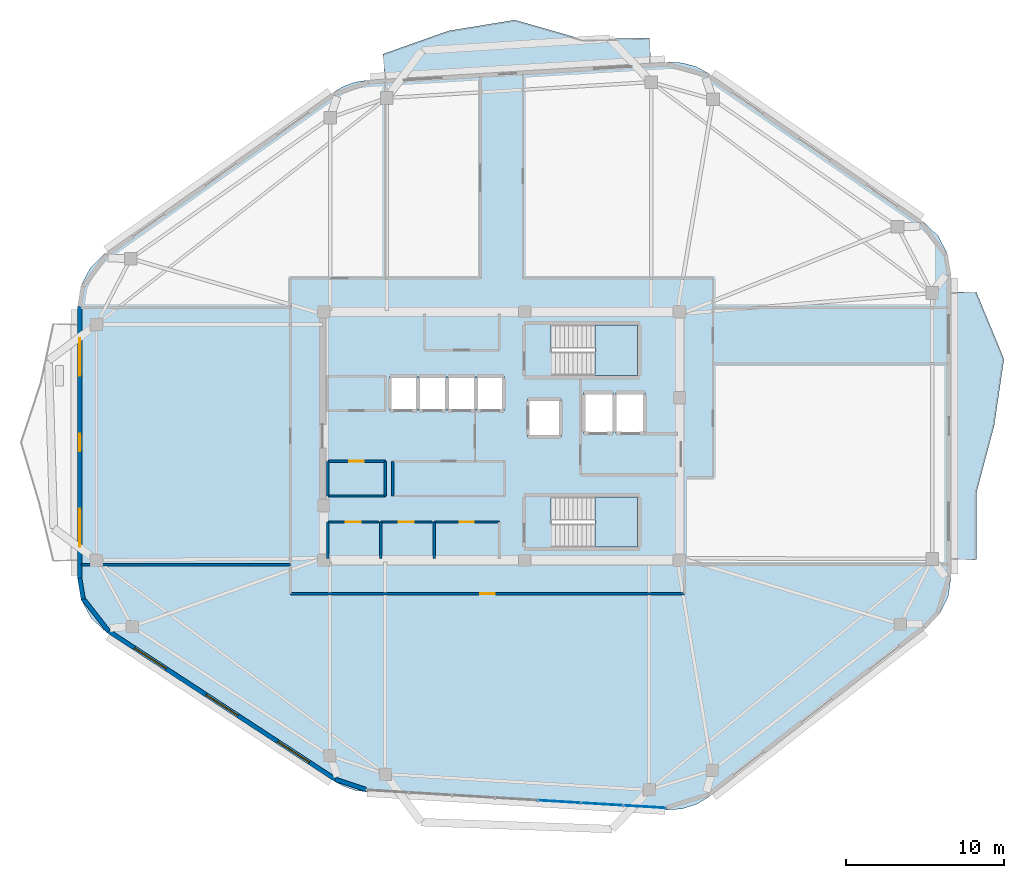
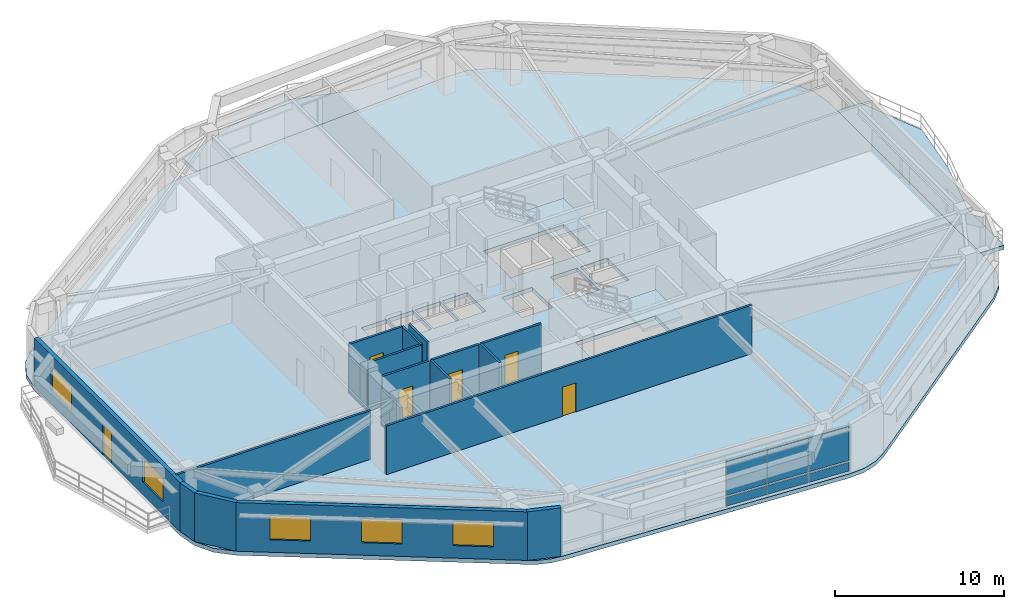
# One storey, part 6 of 12: 18 walls, 6 doors, 6 plates, 5 slabs, 5 windows, 11 openings, 3 elements without a shape of their own.
"""IFC4 building model written with IfcOpenShell, lengths in metres."""

from ifc_helpers import new_model, si_unit, direction, frame, frame_2d, origin, origin_2d, place, context, subcontext, project, spatial, polyline, rectangle, outline, extrude, material, layer, layer_set, type_object, element, fill, aggregate, save


model = new_model("IFC4")

# Units and contexts
model_context = context("Model", 3, precision=1e-05, world=origin(), true_north=direction((0.0, 1.0)))
body_context = subcontext(model_context, "Body", "Model", "MODEL_VIEW")
ifc_project = project(units=[si_unit("LENGTHUNIT", "METRE"), si_unit("AREAUNIT", "SQUARE_METRE"), si_unit("VOLUMEUNIT", "CUBIC_METRE"), si_unit("PLANEANGLEUNIT", "RADIAN"), si_unit("MASSUNIT", "GRAM", prefix="KILO")], contexts=[model_context])

# Site, building, storey
site_placement = place(None, origin())
site = spatial("IfcSite", under=ifc_project, at=site_placement, CompositionType="ELEMENT")
building_placement = place(site_placement, origin())
building = spatial("IfcBuilding", under=site, at=building_placement, Name="Zulverin Broadcast Headquarters", CompositionType="ELEMENT")
storey_placement = place(building_placement, frame((0.0, 0.0, 255.39990234375)))
storey = spatial("IfcBuildingStorey", under=building, at=storey_placement, Name="L65", CompositionType="ELEMENT", Elevation=255.39990234375)

# Curtain wall, plates
ifc_material_1 = material(Name="High-zone solar-control unitised curtain wall", Category="aluminium")
curtain_wall_type = type_object("IfcCurtainWallType", Name="CW-TWR-UPP", PredefinedType="USERDEFINED", material=ifc_material_1)
curtain_wall_placement = place(storey_placement, origin())
curtain_wall = element("IfcCurtainWall", 1, at=curtain_wall_placement, inside=storey, type_object=curtain_wall_type, Name="L65 Unitised Curtain Wall CW-L65-E1", ObjectType="UNITISED CURTAIN WALL", PredefinedType="USERDEFINED")
ifc_material_2 = material(Name="Low-E double-glazed pale-silver vision glass", Category="glass")
ifc_layer_1 = layer(ifc_material_2, 0.035888671875, Name="Low-E double-glazed pale-silver vision glass", Category="glass")
ifc_layer_set_1 = layer_set([ifc_layer_1], Name="Low-E double-glazed pale-silver vision glass")
plate_type_1 = type_object("IfcPlateType", Name="CW-PNL-GLZ", PredefinedType="CURTAIN_PANEL", material=ifc_layer_set_1)
plate_1_placement = place(storey_placement, frame((40.639892578125, 2.020263671875, 0.90771484375), z_axis=(0.0, 0.0, 1.0), x_axis=(0.998202681386, -0.059928347834, 0.0)))
plate_1 = element("IfcPlate", 2, at=plate_1_placement, type_object=plate_type_1, Name="CW-L65-E1 Vision Panel 04", PredefinedType="CURTAIN_PANEL", context=body_context, shape_type="SweptSolid", body=[
    extrude(rectangle(XDim=2.682861328125, YDim=0.035888671875, at=origin_2d()), origin(), (0.0, 0.0, 1.0), 2.462646484375),
])
plate_2_placement = place(storey_placement, frame((43.35791015625, 1.857177734375, 0.90771484375), z_axis=(0.0, 0.0, 1.0), x_axis=(0.998202681386, -0.059928347834, 0.0)))
plate_2 = element("IfcPlate", 3, at=plate_2_placement, type_object=plate_type_1, Name="CW-L65-E1 Vision Panel 05", PredefinedType="CURTAIN_PANEL", context=body_context, shape_type="SweptSolid", body=[
    extrude(rectangle(XDim=2.682861328125, YDim=0.035888671875, at=origin_2d()), origin(), (0.0, 0.0, 1.0), 2.462646484375),
])
plate_3_placement = place(storey_placement, frame((46.07568359375, 1.694091796875, 0.90771484375), z_axis=(0.0, 0.0, 1.0), x_axis=(0.998202681386, -0.059928347834, 0.0)))
plate_3 = element("IfcPlate", 4, at=plate_3_placement, type_object=plate_type_1, Name="CW-L65-E1 Vision Panel 06", PredefinedType="CURTAIN_PANEL", context=body_context, shape_type="SweptSolid", body=[
    extrude(rectangle(XDim=2.682861328125, YDim=0.035888671875, at=origin_2d()), origin(), (0.0, 0.0, 1.0), 2.462646484375),
])
ifc_material_3 = material(Name="Insulated brushed pale-aluminium spandrel cassette", Category="aluminium")
ifc_layer_2 = layer(ifc_material_3, 0.050048828125, Name="Insulated brushed pale-aluminium spandrel cassette", Category="aluminium")
ifc_layer_set_2 = layer_set([ifc_layer_2], Name="Insulated brushed pale-aluminium spandrel cassette")
plate_type_2 = type_object("IfcPlateType", Name="CW-PNL-SPN", PredefinedType="CURTAIN_PANEL", material=ifc_layer_set_2)
plate_4_placement = place(storey_placement, frame((40.639892578125, 2.020263671875, 0.14013671875), z_axis=(0.0, 0.0, 1.0), x_axis=(0.998202681386, -0.059928347834, 0.0)))
plate_4 = element("IfcPlate", 5, at=plate_4_placement, type_object=plate_type_2, Name="CW-L65-E1 Spandrel Cassette 04", PredefinedType="CURTAIN_PANEL", context=body_context, shape_type="SweptSolid", body=[
    extrude(rectangle(XDim=2.682861328125, YDim=0.050048828125, at=origin_2d()), origin(), (0.0, 0.0, 1.0), 0.637451171875),
])
plate_5_placement = place(storey_placement, frame((43.35791015625, 1.857177734375, 0.14013671875), z_axis=(0.0, 0.0, 1.0), x_axis=(0.998202681386, -0.059928347834, 0.0)))
plate_5 = element("IfcPlate", 6, at=plate_5_placement, type_object=plate_type_2, Name="CW-L65-E1 Spandrel Cassette 05", PredefinedType="CURTAIN_PANEL", context=body_context, shape_type="SweptSolid", body=[
    extrude(rectangle(XDim=2.682861328125, YDim=0.050048828125, at=origin_2d()), origin(), (0.0, 0.0, 1.0), 0.637451171875),
])
plate_6_placement = place(storey_placement, frame((46.07568359375, 1.694091796875, 0.14013671875), z_axis=(0.0, 0.0, 1.0), x_axis=(0.998202681386, -0.059928347834, 0.0)))
plate_6 = element("IfcPlate", 7, at=plate_6_placement, type_object=plate_type_2, Name="CW-L65-E1 Spandrel Cassette 06", PredefinedType="CURTAIN_PANEL", context=body_context, shape_type="SweptSolid", body=[
    extrude(rectangle(XDim=2.682861328125, YDim=0.050048828125, at=origin_2d()), origin(), (0.0, 0.0, 1.0), 0.637451171875),
])
aggregate(curtain_wall, [plate_4, plate_1, plate_5, plate_2, plate_6, plate_3])

# Slabs
ifc_material_4 = material(Name="Concrete C40/50", Category="concrete")
ifc_layer_3 = layer(ifc_material_4, 0.2900390625, Name="Concrete C40/50", Category="concrete")
ifc_layer_set_3 = layer_set([ifc_layer_3], Name="Concrete C40/50")
slab_type_1 = type_object("IfcSlabType", Name="SLB-BAL-290", PredefinedType="FLOOR", material=ifc_layer_set_3)
slab_1_placement = place(storey_placement, frame((0.0, 0.0, -0.289794921875)))
element("IfcSlab", 8, at=slab_1_placement, inside=storey, type_object=slab_type_1, Name="L65 Cantilevered Planted Balcony Slab BAL_E", PredefinedType="FLOOR", context=body_context, shape_type="SweptSolid", body=[
    extrude(outline(polyline([(65.5, 34.32568359375), (65.5, 17.357666015625), (67.10009765625, 17.357666015625), (67.10009765625, 21.599609375), (68.226806640625, 25.841796875), (68.85400390625, 30.083740234375), (67.10009765625, 34.32568359375), (65.5, 34.32568359375)])), origin(), (0.0, 0.0, 1.0), 0.289794921875),
])
slab_2_placement = place(storey_placement, frame((0.0, 0.0, -0.289794921875)))
element("IfcSlab", 9, at=slab_2_placement, inside=storey, type_object=slab_type_1, Name="L65 Cantilevered Planted Balcony Slab BAL_N", PredefinedType="FLOOR", context=body_context, shape_type="SweptSolid", body=[
    extrude(outline(polyline([(29.5791015625, 47.835693359375), (46.45947265625, 48.849365234375), (46.363525390625, 50.4462890625), (42.133544921875, 50.356689453125), (37.824462890625, 51.58740234375), (33.630126953125, 50.903076171875), (29.483154296875, 49.43310546875), (29.5791015625, 47.835693359375)])), origin(), (0.0, 0.0, 1.0), 0.289794921875),
])

# Stair, slab
stair_type = type_object("IfcStairType", Name="ST-CORE-1500", PredefinedType="HALF_TURN_STAIR", material=ifc_material_4)
stair_1_placement = place(storey_placement, origin())
stair_1 = element("IfcStair", 10, at=stair_1_placement, inside=storey, type_object=stair_type, Name="L65 Core Exit Stair ST-1", PredefinedType="HALF_TURN_STAIR")
ifc_layer_4 = layer(ifc_material_4, 0.199951171875, Name="Concrete C40/50", Category="concrete")
ifc_layer_set_4 = layer_set([ifc_layer_4], Name="Concrete C40/50")
slab_type_2 = type_object("IfcSlabType", Name="SLB-ST-LND200", PredefinedType="LANDING", material=ifc_layer_set_4)
slab_3_placement = place(storey_placement, frame((0.0, 0.0, 1.7001953125)))
slab_3 = element("IfcSlab", 11, at=slab_3_placement, type_object=slab_type_2, Name="ST-1 landing 1", PredefinedType="LANDING", context=body_context, shape_type="SweptSolid", body=[
    extrude(outline(polyline([(42.929931640625, 29.050048828125), (45.60009765625, 29.050048828125), (45.60009765625, 32.25), (42.929931640625, 32.25), (42.929931640625, 29.050048828125)])), origin(), (0.0, 0.0, 1.0), 0.199951171875),
])
aggregate(stair_1, [slab_3])

stair_2_placement = place(storey_placement, origin())
stair_2 = element("IfcStair", 12, at=stair_2_placement, inside=storey, type_object=stair_type, Name="L65 Core Exit Stair ST-2", PredefinedType="HALF_TURN_STAIR")
slab_4_placement = place(storey_placement, frame((0.0, 0.0, 1.7001953125)))
slab_4 = element("IfcSlab", 13, at=slab_4_placement, type_object=slab_type_2, Name="ST-2 landing 1", PredefinedType="LANDING", context=body_context, shape_type="SweptSolid", body=[
    extrude(outline(polyline([(42.929931640625, 18.14990234375), (45.60009765625, 18.14990234375), (45.60009765625, 21.35009765625), (42.929931640625, 21.35009765625), (42.929931640625, 18.14990234375)])), origin(), (0.0, 0.0, 1.0), 0.199951171875),
])
aggregate(stair_2, [slab_4])

# Slab
ifc_layer_5 = layer(ifc_material_4, 0.2900390625, Name="Concrete C40/50", Category="concrete")
ifc_layer_set_5 = layer_set([ifc_layer_5], Name="Concrete C40/50")
slab_type_3 = type_object("IfcSlabType", Name="SLB-TWR-290", PredefinedType="FLOOR", material=ifc_layer_set_5)
slab_5_placement = place(storey_placement, frame((0.0, 0.0, -0.289794921875)))
element("IfcSlab", 14, at=slab_5_placement, inside=storey, type_object=slab_type_3, Name="L65 Main Structural Floor Slab", PredefinedType="FLOOR", context=body_context, shape_type="SweptSolid", body=[
    extrude(outline(polyline([(26.405029296875, 3.295166015625), (27.029296875, 2.96044921875), (27.70166015625, 2.738037109375), (28.402099609375, 2.634765625), (47.427490234375, 1.49267578125), (48.40869140625, 1.5517578125), (49.347412109375, 1.842529296875), (50.18994140625, 2.348388671875), (63.91650390625, 13.02099609375), (64.7685546875, 13.92041015625), (65.312744140625, 15.033203125), (65.5, 16.2578125), (65.5, 35.42578125), (65.289306640625, 36.723388671875), (64.6787109375, 37.887451171875), (63.73095703125, 38.798583984375), (50.13427734375, 48.1953125), (49.3359375, 48.625244140625), (48.462890625, 48.869140625), (47.557373046875, 48.915283203125), (28.48095703125, 47.77001953125), (27.73291015625, 47.655029296875), (27.0185546875, 47.404541015625), (26.362548828125, 47.027099609375), (11.8359375, 36.775146484375), (10.9052734375, 35.865478515625), (10.306396484375, 34.710205078125), (10.10009765625, 33.42529296875), (10.10009765625, 16.168701171875), (10.322021484375, 14.83740234375), (10.96435546875, 13.650390625), (11.957275390625, 12.736328125), (26.405029296875, 3.295166015625)]), holes=[polyline([(40.155029296875, 30.75), (40.130126953125, 30.75), (40.130126953125, 32.25), (45.60009765625, 32.25), (45.60009765625, 29.050048828125), (40.155029296875, 29.050048828125), (40.155029296875, 30.75)]), polyline([(40.155029296875, 19.85009765625), (40.130126953125, 19.85009765625), (40.130126953125, 21.35009765625), (45.60009765625, 21.35009765625), (45.60009765625, 18.14990234375), (40.155029296875, 18.14990234375), (40.155029296875, 19.85009765625)]), polyline([(29.89990234375, 26.800048828125), (31.6201171875, 26.800048828125), (31.6201171875, 29.0), (29.89990234375, 29.0), (29.89990234375, 26.800048828125)]), polyline([(31.739990234375, 26.800048828125), (33.4599609375, 26.800048828125), (33.4599609375, 29.0), (31.739990234375, 29.0), (31.739990234375, 26.800048828125)]), polyline([(33.580078125, 26.800048828125), (35.300048828125, 26.800048828125), (35.300048828125, 29.0), (33.580078125, 29.0), (33.580078125, 26.800048828125)]), polyline([(35.419921875, 26.800048828125), (37.139892578125, 26.800048828125), (37.139892578125, 29.0), (35.419921875, 29.0), (35.419921875, 26.800048828125)]), polyline([(42.199951171875, 25.35009765625), (44.050048828125, 25.35009765625), (44.050048828125, 27.949951171875), (42.199951171875, 27.949951171875), (42.199951171875, 25.35009765625)]), polyline([(44.25, 25.35009765625), (46.10009765625, 25.35009765625), (46.10009765625, 27.949951171875), (44.25, 27.949951171875), (44.25, 25.35009765625)]), polyline([(38.64990234375, 25.14990234375), (40.75, 25.14990234375), (40.75, 27.550048828125), (38.64990234375, 27.550048828125), (38.64990234375, 25.14990234375)])]), origin(), (0.0, 0.0, 1.0), 0.289794921875),
])

# Wall, openings, door, windows
ifc_material_5 = material(Name="Insulated pale-metal clad concrete spandrel C40/50", Category="concrete")
ifc_layer_6 = layer(ifc_material_5, 0.280029296875, Name="Insulated pale-metal clad concrete spandrel C40/50", Category="concrete")
ifc_layer_set_6 = layer_set([ifc_layer_6], Name="Insulated pale-metal clad concrete spandrel C40/50")
wall_type_1 = type_object("IfcWallType", Name="WL-EXT-280", PredefinedType="STANDARD", material=ifc_layer_set_6)
wall_1_placement = place(storey_placement, frame((10.239990234375, 33.42529296875, 0.0), z_axis=(0.0, 0.0, 1.0), x_axis=(0.0, -1.0, 0.0)))
wall_1 = element("IfcWall", 15, at=wall_1_placement, inside=storey, type_object=wall_type_1, Name="L65 Pale-Metal Clad Spandrel Wall 7", PredefinedType="STANDARD", context=body_context, shape_type="SweptSolid", body=[
    extrude(rectangle(XDim=17.256591796875, YDim=0.280029296875, at=frame_2d((8.62841796875, 0.0))), origin(), (0.0, 0.0, 1.0), 3.510009765625),
])
opening_1_placement = place(wall_1_placement, frame((8.078369140625, 0.0, 0.0)))
opening_1 = element("IfcOpeningElement", 16, at=opening_1_placement, cuts=wall_1, Name="Opening D-L65-TR7", PredefinedType="OPENING", context=body_context, shape_type="SweptSolid", body=[
    extrude(rectangle(XDim=1.10009765625, YDim=2.199951171875, at=frame_2d((0.550048828125, 1.10009765625))), frame((0.0, 0.14990234375, 0.0), z_axis=(0.0, -1.0, 0.0), x_axis=(1.0, 0.0, 0.0)), (0.0, 0.0, 1.0), 0.300048828125),
])
opening_2_placement = place(wall_1_placement, frame((2.009521484375, 0.0, 0.89990234375)))
opening_2 = element("IfcOpeningElement", 17, at=opening_2_placement, cuts=wall_1, Name="Opening W-L65-E71", PredefinedType="OPENING", context=body_context, shape_type="SweptSolid", body=[
    extrude(rectangle(XDim=2.39990234375, YDim=1.75, at=frame_2d((1.199951171875, 0.875))), frame((0.0, 0.14990234375, 0.0), z_axis=(0.0, -1.0, 0.0), x_axis=(1.0, 0.0, 0.0)), (0.0, 0.0, 1.0), 0.300048828125),
])
opening_3_placement = place(wall_1_placement, frame((12.84716796875, 0.0, 0.89990234375)))
opening_3 = element("IfcOpeningElement", 18, at=opening_3_placement, cuts=wall_1, Name="Opening W-L65-E72", PredefinedType="OPENING", context=body_context, shape_type="SweptSolid", body=[
    extrude(rectangle(XDim=2.39990234375, YDim=1.75, at=frame_2d((1.199951171875, 0.875))), frame((0.0, 0.14990234375, 0.0), z_axis=(0.0, -1.0, 0.0), x_axis=(1.0, 0.0, 0.0)), (0.0, 0.0, 1.0), 0.300048828125),
])
ifc_material_6 = material(Name="Thermally broken aluminium glazed", Category="aluminium")
door_type_1 = type_object("IfcDoorType", Name="DR-TERR-1100", OperationType="SINGLE_SWING_RIGHT", PredefinedType="DOOR", material=ifc_material_6)
door_1_placement = place(opening_1_placement, origin())
door_1 = element("IfcDoor", 19, at=door_1_placement, inside=storey, type_object=door_type_1, Name="L65 Planted Terrace Glazed Access Door 7", OperationType="SINGLE_SWING_RIGHT", OverallHeight=2.199951171875, OverallWidth=1.10009765625, PredefinedType="DOOR", context=body_context, shape_type="SweptSolid", body=[
    extrude(rectangle(XDim=1.10009765625, YDim=2.199951171875, at=frame_2d((0.550048828125, 1.10009765625))), frame((0.0, 0.02490234375, 0.0), z_axis=(0.0, -1.0, 0.0), x_axis=(1.0, 0.0, 0.0)), (0.0, 0.0, 1.0), 0.050048828125),
])
fill(opening_1, door_1)
ifc_material_7 = material(Name="Pale anodized aluminium frame with solar-control low-E double glazing", Category="aluminium")
window_type = type_object("IfcWindowType", Name="WIN-RIB-2400", PartitioningType="SINGLE_PANEL", PredefinedType="WINDOW", material=ifc_material_7)
window_1_placement = place(opening_2_placement, origin())
window_1 = element("IfcWindow", 20, at=window_1_placement, inside=storey, type_object=window_type, Name="L65 Ribbon Glazing Window 7 1", OverallHeight=1.75, OverallWidth=2.39990234375, PartitioningType="SINGLE_PANEL", PredefinedType="WINDOW", context=body_context, shape_type="SweptSolid", body=[
    extrude(rectangle(XDim=2.39990234375, YDim=1.75, at=frame_2d((1.199951171875, 0.875))), frame((0.0, 0.030029296875, 0.0), z_axis=(0.0, -1.0, 0.0), x_axis=(1.0, 0.0, 0.0)), (0.0, 0.0, 1.0), 0.06005859375),
])
fill(opening_2, window_1)
window_2_placement = place(opening_3_placement, origin())
window_2 = element("IfcWindow", 21, at=window_2_placement, inside=storey, type_object=window_type, Name="L65 Ribbon Glazing Window 7 2", OverallHeight=1.75, OverallWidth=2.39990234375, PartitioningType="SINGLE_PANEL", PredefinedType="WINDOW", context=body_context, shape_type="SweptSolid", body=[
    extrude(rectangle(XDim=2.39990234375, YDim=1.75, at=frame_2d((1.199951171875, 0.875))), frame((0.0, 0.030029296875, 0.0), z_axis=(0.0, -1.0, 0.0), x_axis=(1.0, 0.0, 0.0)), (0.0, 0.0, 1.0), 0.06005859375),
])
fill(opening_3, window_2)

# Wall, openings, windows
wall_2_placement = place(storey_placement, frame((12.03369140625, 12.853515625, 0.0), z_axis=(0.0, 0.0, 1.0), x_axis=(0.837118352984, -0.547021812269, 0.0)))
wall_2 = element("IfcWall", 22, at=wall_2_placement, inside=storey, type_object=wall_type_1, Name="L65 Pale-Metal Clad Spandrel Wall 8", PredefinedType="STANDARD", context=body_context, shape_type="SweptSolid", body=[
    extrude(rectangle(XDim=17.25927734375, YDim=0.280029296875, at=frame_2d((8.629638671875, 0.0))), origin(), (0.0, 0.0, 1.0), 3.510009765625),
])
opening_4_placement = place(wall_2_placement, frame((2.010009765625, 0.0, 0.89990234375)))
opening_4 = element("IfcOpeningElement", 23, at=opening_4_placement, cuts=wall_2, Name="Opening W-L65-E81", PredefinedType="OPENING", context=body_context, shape_type="SweptSolid", body=[
    extrude(rectangle(XDim=2.39990234375, YDim=1.75, at=frame_2d((1.199951171875, 0.875))), frame((0.0, 0.14990234375, 0.0), z_axis=(0.0, -1.0, 0.0), x_axis=(1.0, 0.0, 0.0)), (0.0, 0.0, 1.0), 0.300048828125),
])
opening_5_placement = place(wall_2_placement, frame((7.4296875, 0.0, 0.89990234375)))
opening_5 = element("IfcOpeningElement", 24, at=opening_5_placement, cuts=wall_2, Name="Opening W-L65-E82", PredefinedType="OPENING", context=body_context, shape_type="SweptSolid", body=[
    extrude(rectangle(XDim=2.39990234375, YDim=1.75, at=frame_2d((1.199951171875, 0.875))), frame((0.0, 0.14990234375, 0.0), z_axis=(0.0, -1.0, 0.0), x_axis=(1.0, 0.0, 0.0)), (0.0, 0.0, 1.0), 0.300048828125),
])
opening_6_placement = place(wall_2_placement, frame((12.849365234375, 0.0, 0.89990234375)))
opening_6 = element("IfcOpeningElement", 25, at=opening_6_placement, cuts=wall_2, Name="Opening W-L65-E83", PredefinedType="OPENING", context=body_context, shape_type="SweptSolid", body=[
    extrude(rectangle(XDim=2.39990234375, YDim=1.75, at=frame_2d((1.199951171875, 0.875))), frame((0.0, 0.14990234375, 0.0), z_axis=(0.0, -1.0, 0.0), x_axis=(1.0, 0.0, 0.0)), (0.0, 0.0, 1.0), 0.300048828125),
])
window_3_placement = place(opening_4_placement, origin())
window_3 = element("IfcWindow", 26, at=window_3_placement, inside=storey, type_object=window_type, Name="L65 Ribbon Glazing Window 8 1", OverallHeight=1.75, OverallWidth=2.39990234375, PartitioningType="SINGLE_PANEL", PredefinedType="WINDOW", context=body_context, shape_type="SweptSolid", body=[
    extrude(rectangle(XDim=2.39990234375, YDim=1.75, at=frame_2d((1.199951171875, 0.875))), frame((0.0, 0.030029296875, 0.0), z_axis=(0.0, -1.0, 0.0), x_axis=(1.0, 0.0, 0.0)), (0.0, 0.0, 1.0), 0.06005859375),
])
fill(opening_4, window_3)
window_4_placement = place(opening_5_placement, origin())
window_4 = element("IfcWindow", 27, at=window_4_placement, inside=storey, type_object=window_type, Name="L65 Ribbon Glazing Window 8 2", OverallHeight=1.75, OverallWidth=2.39990234375, PartitioningType="SINGLE_PANEL", PredefinedType="WINDOW", context=body_context, shape_type="SweptSolid", body=[
    extrude(rectangle(XDim=2.39990234375, YDim=1.75, at=frame_2d((1.199951171875, 0.875))), frame((0.0, 0.030029296875, 0.0), z_axis=(0.0, -1.0, 0.0), x_axis=(1.0, 0.0, 0.0)), (0.0, 0.0, 1.0), 0.06005859375),
])
fill(opening_5, window_4)
window_5_placement = place(opening_6_placement, origin())
window_5 = element("IfcWindow", 28, at=window_5_placement, inside=storey, type_object=window_type, Name="L65 Ribbon Glazing Window 8 3", OverallHeight=1.75, OverallWidth=2.39990234375, PartitioningType="SINGLE_PANEL", PredefinedType="WINDOW", context=body_context, shape_type="SweptSolid", body=[
    extrude(rectangle(XDim=2.39990234375, YDim=1.75, at=frame_2d((1.199951171875, 0.875))), frame((0.0, 0.030029296875, 0.0), z_axis=(0.0, -1.0, 0.0), x_axis=(1.0, 0.0, 0.0)), (0.0, 0.0, 1.0), 0.06005859375),
])
fill(opening_6, window_5)

# Walls
wall_3_placement = place(storey_placement, frame((10.238037109375, 16.191650390625, 0.0), z_axis=(0.0, 0.0, 1.0), x_axis=(0.164604311367, -0.986359681191, 0.0)))
element("IfcWall", 29, at=wall_3_placement, inside=storey, type_object=wall_type_1, Name="L65 Wind-Shaped Corner Spandrel Wall 7-1", PredefinedType="STANDARD", context=body_context, shape_type="SweptSolid", body=[
    extrude(rectangle(XDim=1.349609375, YDim=0.280029296875, at=frame_2d((0.6748046875, 0.0))), origin(), (0.0, 0.0, 1.0), 3.510009765625),
])
wall_4_placement = place(storey_placement, frame((10.4326171875, 14.92333984375, 0.0), z_axis=(0.0, 0.0, 1.0), x_axis=(0.614181852676, -0.78916452774, 0.0)))
element("IfcWall", 30, at=wall_4_placement, inside=storey, type_object=wall_type_1, Name="L65 Wind-Shaped Corner Spandrel Wall 7-2", PredefinedType="STANDARD", context=body_context, shape_type="SweptSolid", body=[
    extrude(rectangle(XDim=2.662109375, YDim=0.280029296875, at=frame_2d((1.3310546875, 0.0))), origin(), (0.0, 0.0, 1.0), 3.510009765625),
])
wall_5_placement = place(storey_placement, frame((26.44921875, 3.427978515625, 0.0), z_axis=(0.0, 0.0, 1.0), x_axis=(0.949447063244, -0.313927179609, 0.0)))
element("IfcWall", 31, at=wall_5_placement, inside=storey, type_object=wall_type_1, Name="L65 Wind-Shaped Corner Spandrel Wall 8-1", PredefinedType="STANDARD", context=body_context, shape_type="SweptSolid", body=[
    extrude(rectangle(XDim=2.038330078125, YDim=0.280029296875, at=frame_2d((1.01904296875, 0.0))), origin(), (0.0, 0.0, 1.0), 3.510009765625),
])

# Wall, opening, door
ifc_material_8 = material(Name="Fire-rated gypsum stud partition", Category="gypsum")
ifc_layer_7 = layer(ifc_material_8, 0.14990234375, Name="Fire-rated gypsum stud partition", Category="gypsum")
ifc_layer_set_7 = layer_set([ifc_layer_7], Name="Fire-rated gypsum stud partition")
wall_type_2 = type_object("IfcWallType", Name="WL-PART-150", PredefinedType="PARTITIONING", material=ifc_layer_set_7)
wall_6_placement = place(storey_placement, frame((25.969970703125, 19.75, 0.0), z_axis=(0.0, 0.0, 1.0), x_axis=(1.0, 0.0, 0.0)))
wall_6 = element("IfcWall", 32, at=wall_6_placement, inside=storey, type_object=wall_type_2, Name="L65 Core Male WC Front Wall", PredefinedType="PARTITIONING", context=body_context, shape_type="SweptSolid", body=[
    extrude(rectangle(XDim=3.199951171875, YDim=0.14990234375, at=frame_2d((1.60009765625, 0.0))), origin(), (0.0, 0.0, 1.0), 3.510009765625),
])
opening_7_placement = place(wall_6_placement, frame((1.125, 0.0, 0.0)))
opening_7 = element("IfcOpeningElement", 33, at=opening_7_placement, cuts=wall_6, Name="Opening D-L65-SC1", PredefinedType="OPENING", context=body_context, shape_type="SweptSolid", body=[
    extrude(rectangle(XDim=0.949951171875, YDim=2.10009765625, at=frame_2d((0.47509765625, 1.050048828125))), frame((0.0, 0.0849609375, 0.0), z_axis=(0.0, -1.0, 0.0), x_axis=(1.0, 0.0, 0.0)), (0.0, 0.0, 1.0), 0.169921875),
])
ifc_material_9 = material(Name="Fire-rated moisture-resistant laminate leaf", Category="wood")
door_type_2 = type_object("IfcDoorType", Name="DR-WC-950", OperationType="SINGLE_SWING_LEFT", PredefinedType="DOOR", material=ifc_material_9)
door_2_placement = place(opening_7_placement, origin())
door_2 = element("IfcDoor", 34, at=door_2_placement, inside=storey, type_object=door_type_2, Name="L65 Male WC Door", OperationType="SINGLE_SWING_RIGHT", OverallHeight=2.10009765625, OverallWidth=0.949951171875, PredefinedType="DOOR", context=body_context, shape_type="SweptSolid", body=[
    extrude(rectangle(XDim=0.949951171875, YDim=2.10009765625, at=frame_2d((0.47509765625, 1.050048828125))), frame((0.0, 0.02490234375, 0.0), z_axis=(0.0, -1.0, 0.0), x_axis=(1.0, 0.0, 0.0)), (0.0, 0.0, 1.0), 0.050048828125),
])
fill(opening_7, door_2)

# Wall
wall_7_placement = place(storey_placement, frame((25.969970703125, 17.449951171875, 0.0), z_axis=(0.0, 0.0, 1.0), x_axis=(0.0, 1.0, 0.0)))
element("IfcWall", 35, at=wall_7_placement, inside=storey, type_object=wall_type_2, Name="L65 Core Male WC West Wall", PredefinedType="PARTITIONING", context=body_context, shape_type="SweptSolid", body=[
    extrude(rectangle(XDim=2.300048828125, YDim=0.14990234375, at=frame_2d((1.14990234375, 0.0))), origin(), (0.0, 0.0, 1.0), 2.610107421875),
])

# Wall, opening, door
wall_8_placement = place(storey_placement, frame((29.330078125, 19.75, 0.0), z_axis=(0.0, 0.0, 1.0), x_axis=(1.0, 0.0, 0.0)))
wall_8 = element("IfcWall", 36, at=wall_8_placement, inside=storey, type_object=wall_type_2, Name="L65 Core Female WC Front Wall", PredefinedType="PARTITIONING", context=body_context, shape_type="SweptSolid", body=[
    extrude(rectangle(XDim=3.239990234375, YDim=0.14990234375, at=frame_2d((1.6201171875, 0.0))), origin(), (0.0, 0.0, 1.0), 3.510009765625),
])
opening_8_placement = place(wall_8_placement, frame((1.14501953125, 0.0, 0.0)))
opening_8 = element("IfcOpeningElement", 37, at=opening_8_placement, cuts=wall_8, Name="Opening D-L65-SC2", PredefinedType="OPENING", context=body_context, shape_type="SweptSolid", body=[
    extrude(rectangle(XDim=0.949951171875, YDim=2.10009765625, at=frame_2d((0.47509765625, 1.050048828125))), frame((0.0, 0.0849609375, 0.0), z_axis=(0.0, -1.0, 0.0), x_axis=(1.0, 0.0, 0.0)), (0.0, 0.0, 1.0), 0.169921875),
])
door_3_placement = place(opening_8_placement, origin())
door_3 = element("IfcDoor", 38, at=door_3_placement, inside=storey, type_object=door_type_2, Name="L65 Female WC Door", OperationType="SINGLE_SWING_LEFT", OverallHeight=2.10009765625, OverallWidth=0.949951171875, PredefinedType="DOOR", context=body_context, shape_type="SweptSolid", body=[
    extrude(rectangle(XDim=0.949951171875, YDim=2.10009765625, at=frame_2d((0.47509765625, 1.050048828125))), frame((0.0, 0.02490234375, 0.0), z_axis=(0.0, -1.0, 0.0), x_axis=(1.0, 0.0, 0.0)), (0.0, 0.0, 1.0), 0.050048828125),
])
fill(opening_8, door_3)

# Wall
wall_9_placement = place(storey_placement, frame((29.330078125, 17.449951171875, 0.0), z_axis=(0.0, 0.0, 1.0), x_axis=(0.0, 1.0, 0.0)))
element("IfcWall", 39, at=wall_9_placement, inside=storey, type_object=wall_type_2, Name="L65 Core Female WC West Wall", PredefinedType="PARTITIONING", context=body_context, shape_type="SweptSolid", body=[
    extrude(rectangle(XDim=2.300048828125, YDim=0.14990234375, at=frame_2d((1.14990234375, 0.0))), origin(), (0.0, 0.0, 1.0), 3.510009765625),
])

# Wall, opening, door
wall_10_placement = place(storey_placement, frame((32.72998046875, 19.75, 0.0), z_axis=(0.0, 0.0, 1.0), x_axis=(1.0, 0.0, 0.0)))
wall_10 = element("IfcWall", 40, at=wall_10_placement, inside=storey, type_object=wall_type_2, Name="L65 Core Cleaner Store Front Wall", PredefinedType="PARTITIONING", context=body_context, shape_type="SweptSolid", body=[
    extrude(rectangle(XDim=4.1201171875, YDim=0.14990234375, at=frame_2d((2.06005859375, 0.0))), origin(), (0.0, 0.0, 1.0), 3.510009765625),
])
opening_9_placement = place(wall_10_placement, frame((1.610107421875, 0.0, 0.0)))
opening_9 = element("IfcOpeningElement", 41, at=opening_9_placement, cuts=wall_10, Name="Opening D-L65-SC3", PredefinedType="OPENING", context=body_context, shape_type="SweptSolid", body=[
    extrude(rectangle(XDim=0.89990234375, YDim=2.10009765625, at=frame_2d((0.449951171875, 1.050048828125))), frame((0.0, 0.0849609375, 0.0), z_axis=(0.0, -1.0, 0.0), x_axis=(1.0, 0.0, 0.0)), (0.0, 0.0, 1.0), 0.169921875),
])
ifc_material_10 = material(Name="Powder-coated steel access leaf", Category="steel")
door_type_3 = type_object("IfcDoorType", Name="DR-RISER-900", OperationType="SINGLE_SWING_LEFT", PredefinedType="DOOR", material=ifc_material_10)
door_4_placement = place(opening_9_placement, origin())
door_4 = element("IfcDoor", 42, at=door_4_placement, inside=storey, type_object=door_type_3, Name="L65 Cleaner Store Door", OperationType="SINGLE_SWING_RIGHT", OverallHeight=2.10009765625, OverallWidth=0.89990234375, PredefinedType="DOOR", context=body_context, shape_type="SweptSolid", body=[
    extrude(rectangle(XDim=0.89990234375, YDim=2.10009765625, at=frame_2d((0.449951171875, 1.050048828125))), frame((0.0, 0.02490234375, 0.0), z_axis=(0.0, -1.0, 0.0), x_axis=(1.0, 0.0, 0.0)), (0.0, 0.0, 1.0), 0.050048828125),
])
fill(opening_9, door_4)

# Walls
wall_11_placement = place(storey_placement, frame((32.72998046875, 17.449951171875, 0.0), z_axis=(0.0, 0.0, 1.0), x_axis=(0.0, 1.0, 0.0)))
element("IfcWall", 43, at=wall_11_placement, inside=storey, type_object=wall_type_2, Name="L65 Core Cleaner Store West Wall", PredefinedType="PARTITIONING", context=body_context, shape_type="SweptSolid", body=[
    extrude(rectangle(XDim=2.300048828125, YDim=0.14990234375, at=frame_2d((1.14990234375, 0.0))), origin(), (0.0, 0.0, 1.0), 3.510009765625),
])
wall_12_placement = place(storey_placement, frame((25.969970703125, 21.39990234375, 0.0), z_axis=(0.0, 0.0, 1.0), x_axis=(1.0, 0.0, 0.0)))
element("IfcWall", 44, at=wall_12_placement, inside=storey, type_object=wall_type_2, Name="L65 Housekeeping Equipment Store S Wall", PredefinedType="PARTITIONING", context=body_context, shape_type="SweptSolid", body=[
    extrude(rectangle(XDim=3.650146484375, YDim=0.14990234375, at=frame_2d((1.8251953125, 0.0))), origin(), (0.0, 0.0, 1.0), 3.510009765625),
])

# Wall, opening, door
wall_13_placement = place(storey_placement, frame((25.969970703125, 23.60009765625, 0.0), z_axis=(0.0, 0.0, 1.0), x_axis=(1.0, 0.0, 0.0)))
wall_13 = element("IfcWall", 45, at=wall_13_placement, inside=storey, type_object=wall_type_2, Name="L65 Housekeeping Equipment Store N Wall", PredefinedType="PARTITIONING", context=body_context, shape_type="SweptSolid", body=[
    extrude(rectangle(XDim=3.650146484375, YDim=0.14990234375, at=frame_2d((1.8251953125, 0.0))), origin(), (0.0, 0.0, 1.0), 3.510009765625),
])
opening_10_placement = place(wall_13_placement, frame((1.375, 0.0, 0.0)))
opening_10 = element("IfcOpeningElement", 46, at=opening_10_placement, cuts=wall_13, Name="Opening D-L65-RCLS", PredefinedType="OPENING", context=body_context, shape_type="SweptSolid", body=[
    extrude(rectangle(XDim=0.89990234375, YDim=2.10009765625, at=frame_2d((0.449951171875, 1.050048828125))), frame((0.0, 0.0849609375, 0.0), z_axis=(0.0, -1.0, 0.0), x_axis=(1.0, 0.0, 0.0)), (0.0, 0.0, 1.0), 0.169921875),
])
door_5_placement = place(opening_10_placement, origin())
door_5 = element("IfcDoor", 47, at=door_5_placement, inside=storey, type_object=door_type_3, Name="L65 Housekeeping Equipment Store Door", OperationType="SINGLE_SWING_RIGHT", OverallHeight=2.10009765625, OverallWidth=0.89990234375, PredefinedType="DOOR", context=body_context, shape_type="SweptSolid", body=[
    extrude(rectangle(XDim=0.89990234375, YDim=2.10009765625, at=frame_2d((0.449951171875, 1.050048828125))), frame((0.0, 0.02490234375, 0.0), z_axis=(0.0, -1.0, 0.0), x_axis=(1.0, 0.0, 0.0)), (0.0, 0.0, 1.0), 0.050048828125),
])
fill(opening_10, door_5)

# Walls
wall_14_placement = place(storey_placement, frame((25.969970703125, 21.39990234375, 0.0), z_axis=(0.0, 0.0, 1.0), x_axis=(0.0, 1.0, 0.0)))
element("IfcWall", 48, at=wall_14_placement, inside=storey, type_object=wall_type_2, Name="L65 Housekeeping Equipment Store W Wall", PredefinedType="PARTITIONING", context=body_context, shape_type="SweptSolid", body=[
    extrude(rectangle(XDim=2.2001953125, YDim=0.14990234375, at=frame_2d((1.10009765625, 0.0))), origin(), (0.0, 0.0, 1.0), 2.610107421875),
])
for number, where, z_axis, x_axis, name in (
    (49, (29.6201171875, 21.39990234375, 0.0), (0.0, 0.0, 1.0), (0.0, 1.0, 0.0), "L65 Housekeeping Equipment Store E Wall"),
    (50, (30.080078125, 21.39990234375, 0.0), (0.0, 0.0, 1.0), (0.0, 1.0, 0.0), "L65 Optical Telemetry Hub Room W Wall"),
):
    element("IfcWall", number, at=place(storey_placement, frame(where, z_axis=z_axis, x_axis=x_axis)), inside=storey, type_object=wall_type_2, Name=name, PredefinedType="PARTITIONING", context=body_context, shape_type="SweptSolid", body=[
        extrude(rectangle(XDim=2.2001953125, YDim=0.14990234375, at=frame_2d((1.10009765625, 0.0))), origin(), (0.0, 0.0, 1.0), 3.510009765625),
    ])

# Wall, opening, door
wall_15_placement = place(storey_placement, frame((23.60009765625, 15.199951171875, 0.0), z_axis=(0.0, 0.0, 1.0), x_axis=(1.0, 0.0, 0.0)))
wall_15 = element("IfcWall", 51, at=wall_15_placement, inside=storey, type_object=wall_type_2, Name="L65 Gallery Partition Wall CG-07", PredefinedType="PARTITIONING", context=body_context, shape_type="SweptSolid", body=[
    extrude(rectangle(XDim=25.0, YDim=0.14990234375, at=frame_2d((12.5, 0.0))), origin(), (0.0, 0.0, 1.0), 3.510009765625),
])
opening_11_placement = place(wall_15_placement, frame((12.050048828125, 0.0, 0.0)))
opening_11 = element("IfcOpeningElement", 52, at=opening_11_placement, cuts=wall_15, Name="Opening D-L65-04", PredefinedType="OPENING", context=body_context, shape_type="SweptSolid", body=[
    extrude(rectangle(XDim=0.89990234375, YDim=2.10009765625, at=frame_2d((0.449951171875, 1.050048828125))), frame((0.0, 0.0849609375, 0.0), z_axis=(0.0, -1.0, 0.0), x_axis=(1.0, 0.0, 0.0)), (0.0, 0.0, 1.0), 0.169921875),
])
ifc_material_11 = material(Name="Fire-rated hardwood veneer timber leaf", Category="wood")
door_type_4 = type_object("IfcDoorType", Name="DR-ROOM-900", OperationType="SINGLE_SWING_RIGHT", PredefinedType="DOOR", material=ifc_material_11)
door_6_placement = place(opening_11_placement, origin())
door_6 = element("IfcDoor", 53, at=door_6_placement, inside=storey, type_object=door_type_4, Name="L65 Servery Pantry Door", OperationType="SINGLE_SWING_RIGHT", OverallHeight=2.10009765625, OverallWidth=0.89990234375, PredefinedType="DOOR", context=body_context, shape_type="SweptSolid", body=[
    extrude(rectangle(XDim=0.89990234375, YDim=2.10009765625, at=frame_2d((0.449951171875, 1.050048828125))), frame((0.0, 0.02490234375, 0.0), z_axis=(0.0, -1.0, 0.0), x_axis=(1.0, 0.0, 0.0)), (0.0, 0.0, 1.0), 0.050048828125),
])
fill(opening_11, door_6)

# Wall
wall_16_placement = place(storey_placement, frame((10.304931640625, 17.050048828125, 0.0), z_axis=(0.0, 0.0, 1.0), x_axis=(1.0, 0.0, 0.0)))
element("IfcWall", 54, at=wall_16_placement, inside=storey, type_object=wall_type_2, Name="L65 Room Partition Wall RP-08", PredefinedType="PARTITIONING", context=body_context, shape_type="SweptSolid", body=[
    extrude(rectangle(XDim=13.295166015625, YDim=0.14990234375, at=frame_2d((6.6474609375, 0.0))), origin(), (0.0, 0.0, 1.0), 3.510009765625),
])

save(model, "model.ifc")
